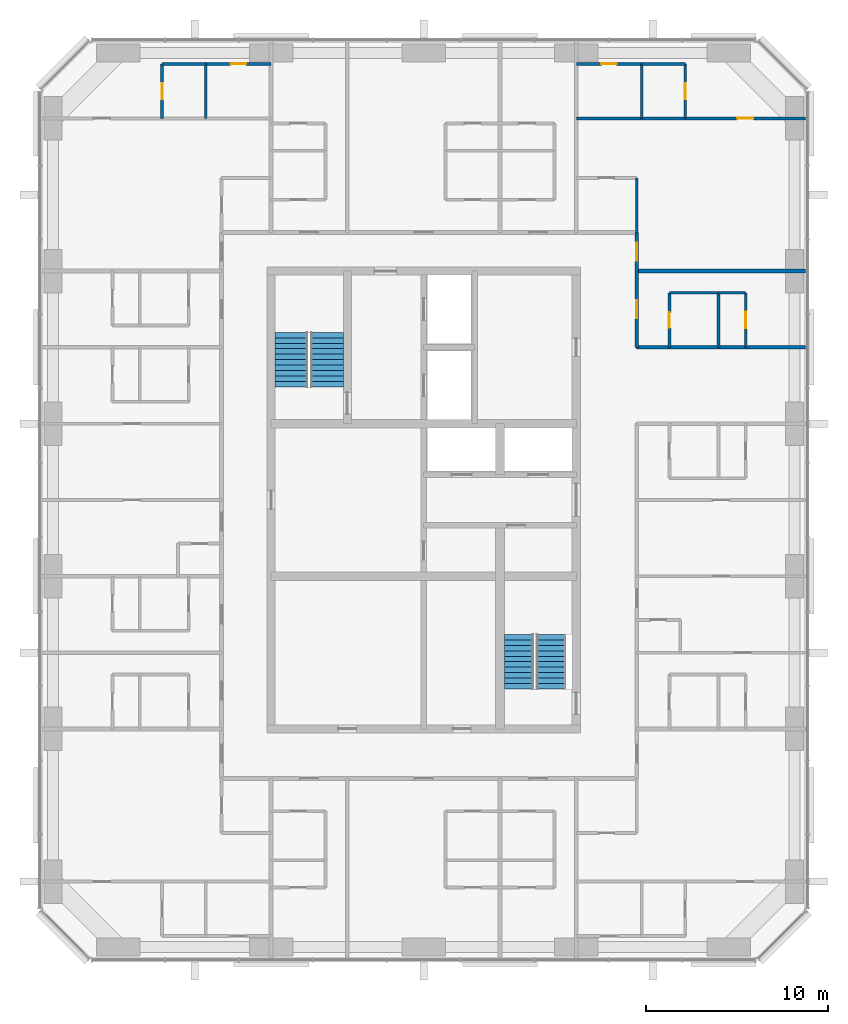
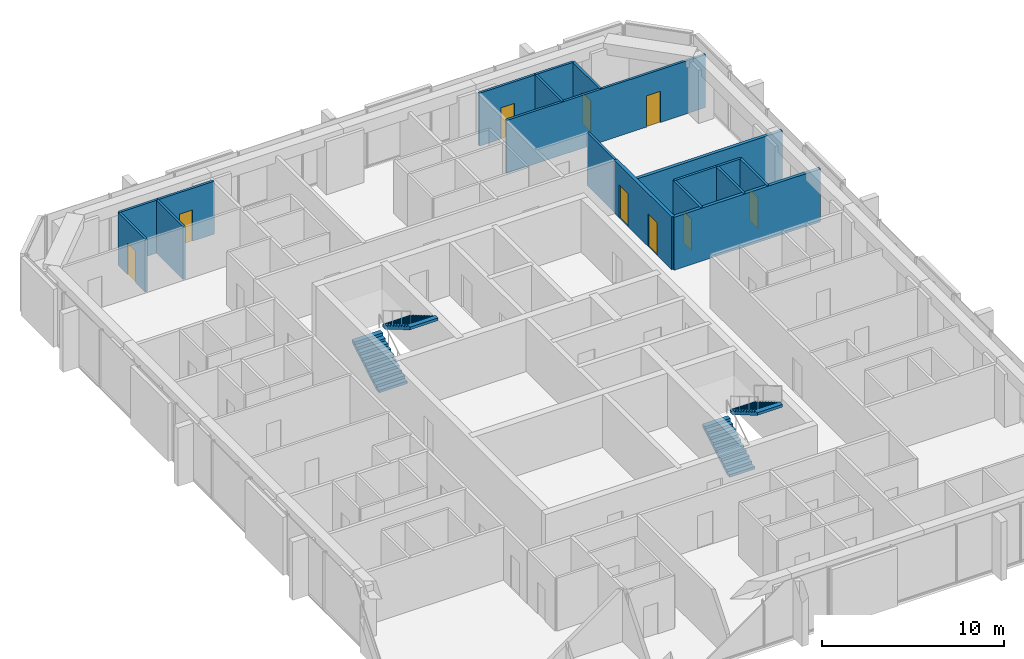
# One storey, part 11 of 12: 18 walls, 9 doors, 4 stair flights, 9 openings, 2 elements without a shape of their own.
"""IFC4 building model written with IfcOpenShell, lengths in metres."""

from ifc_helpers import new_model, si_unit, direction, frame, frame_2d, origin, place, context, subcontext, project, spatial, polyline, rectangle, outline, extrude, material, layer, layer_set, type_object, element, fill, aggregate, save


model = new_model("IFC4")

# Units and contexts
model_context = context("Model", 3, precision=1e-05, world=origin(), true_north=direction((0.0, 1.0)))
body_context = subcontext(model_context, "Body", "Model", "MODEL_VIEW")
ifc_project = project(units=[si_unit("LENGTHUNIT", "METRE"), si_unit("AREAUNIT", "SQUARE_METRE"), si_unit("VOLUMEUNIT", "CUBIC_METRE"), si_unit("PLANEANGLEUNIT", "RADIAN"), si_unit("MASSUNIT", "GRAM", prefix="KILO")], contexts=[model_context])

# Site, building, storey
site_placement = place(None, origin())
site = spatial("IfcSite", under=ifc_project, at=site_placement, CompositionType="ELEMENT")
building_placement = place(site_placement, origin())
building = spatial("IfcBuilding", under=site, at=building_placement, Name="Dunama Terrace Hotel", CompositionType="ELEMENT")
storey_placement = place(building_placement, frame((0.0, 0.0, 272.39990234375)))
storey = spatial("IfcBuildingStorey", under=building, at=storey_placement, Name="L70", CompositionType="ELEMENT", Elevation=272.39990234375)

# Wall
ifc_material_1 = material(Name="Gypsum board partition", Category="masonry")
ifc_layer_1 = layer(ifc_material_1, 0.14990234375)
ifc_layer_set_1 = layer_set([ifc_layer_1], Name="Bathroom partition 150")
wall_type_1 = type_object("IfcWallType", Name="Bathroom partition 150", PredefinedType="PARTITIONING", material=ifc_layer_set_1)
wall_1_placement = place(storey_placement, frame((45.324951171875, 44.125, 0.0), z_axis=(0.0, 0.0, 1.0), x_axis=(0.0, 1.0, 0.0)))
element("IfcWall", 1, at=wall_1_placement, inside=storey, type_object=wall_type_1, Name="Bathroom partition 150 L70", PredefinedType="PARTITIONING", context=body_context, shape_type="SweptSolid", body=[
    extrude(rectangle(XDim=3.0, YDim=0.14990234375, at=frame_2d((1.5, 0.0))), origin(), (0.0, 0.0, 1.0), 3.550048828125),
])

# Wall, opening, door
wall_2_placement = place(storey_placement, frame((47.125, 37.800048828125, 0.0), z_axis=(0.0, 0.0, 1.0), x_axis=(0.0, 1.0, 0.0)))
wall_2 = element("IfcWall", 2, at=wall_2_placement, inside=storey, type_object=wall_type_1, Name="Bathroom partition 150 L70", PredefinedType="PARTITIONING", context=body_context, shape_type="SweptSolid", body=[
    extrude(rectangle(XDim=3.0, YDim=0.14990234375, at=frame_2d((1.5, 0.0))), origin(), (0.0, 0.0, 1.0), 3.550048828125),
])
opening_1_placement = place(wall_2_placement, frame((1.074951171875, 0.0, 0.0)))
opening_1 = element("IfcOpeningElement", 3, at=opening_1_placement, cuts=wall_2, Name="Opening L68-70-026", PredefinedType="OPENING", context=body_context, shape_type="SweptSolid", body=[
    extrude(rectangle(XDim=0.85009765625, YDim=2.10009765625, at=frame_2d((0.425048828125, 1.050048828125))), frame((0.0, 0.0849609375, 0.0), z_axis=(0.0, -1.0, 0.0), x_axis=(1.0, 0.0, 0.0)), (0.0, 0.0, 1.0), 0.169921875),
])
ifc_material_2 = material(Name="Timber door with steel frame", Category="steel")
door_type_1 = type_object("IfcDoorType", Name="Bathroom door 850", OperationType="SINGLE_SWING_LEFT", PredefinedType="DOOR", material=ifc_material_2)
door_1_placement = place(opening_1_placement, frame((0.85009765625, 0.0, 0.0), z_axis=(0.0, 0.0, 1.0), x_axis=(-1.0, 0.0, 0.0)))
door_1 = element("IfcDoor", 4, at=door_1_placement, inside=storey, type_object=door_type_1, Name="Door to en-suite bathroom L68-70-026, type D2", OperationType="SINGLE_SWING_RIGHT", OverallHeight=2.10009765625, OverallWidth=0.85009765625, PredefinedType="DOOR", context=body_context, shape_type="SweptSolid", body=[
    extrude(rectangle(XDim=0.85009765625, YDim=2.10009765625, at=frame_2d((0.425048828125, 1.050048828125))), frame((0.0, 0.025146484375, 0.0), z_axis=(0.0, -1.0, 0.0), x_axis=(1.0, 0.0, 0.0)), (0.0, 0.0, 1.0), 0.050048828125),
])
fill(opening_1, door_1)

# Wall
wall_3_placement = place(storey_placement, frame((47.125, 40.800048828125, 0.0), z_axis=(0.0, 0.0, 1.0), x_axis=(1.0, 0.0, 0.0)))
element("IfcWall", 5, at=wall_3_placement, inside=storey, type_object=wall_type_1, Name="Bathroom partition 150 L70", PredefinedType="PARTITIONING", context=body_context, shape_type="SweptSolid", body=[
    extrude(rectangle(XDim=2.699951171875, YDim=0.14990234375, at=frame_2d((1.35009765625, 0.0))), origin(), (0.0, 0.0, 1.0), 3.550048828125),
])

# Wall, opening, door
wall_4_placement = place(storey_placement, frame((21.60009765625, 53.39990234375, 0.0), z_axis=(0.0, 0.0, 1.0), x_axis=(1.0, 0.0, 0.0)))
wall_4 = element("IfcWall", 6, at=wall_4_placement, inside=storey, type_object=wall_type_1, Name="Bathroom partition 150 L70", PredefinedType="PARTITIONING", context=body_context, shape_type="SweptSolid", body=[
    extrude(rectangle(XDim=3.599853515625, YDim=0.14990234375, at=frame_2d((1.7998046875, 0.0))), origin(), (0.0, 0.0, 1.0), 3.550048828125),
])
opening_2_placement = place(wall_4_placement, frame((1.375, 0.0, 0.0)))
opening_2 = element("IfcOpeningElement", 7, at=opening_2_placement, cuts=wall_4, Name="Opening L68-70-070", PredefinedType="OPENING", context=body_context, shape_type="SweptSolid", body=[
    extrude(rectangle(XDim=0.85009765625, YDim=2.10009765625, at=frame_2d((0.425048828125, 1.050048828125))), frame((0.0, 0.0849609375, 0.0), z_axis=(0.0, -1.0, 0.0), x_axis=(1.0, 0.0, 0.0)), (0.0, 0.0, 1.0), 0.169921875),
])
door_2_placement = place(opening_2_placement, frame((0.85009765625, 0.0, 0.0), z_axis=(0.0, 0.0, 1.0), x_axis=(-1.0, 0.0, 0.0)))
door_2 = element("IfcDoor", 8, at=door_2_placement, inside=storey, type_object=door_type_1, Name="Door to en-suite bathroom L68-70-070, type D2", OperationType="SINGLE_SWING_LEFT", OverallHeight=2.10009765625, OverallWidth=0.85009765625, PredefinedType="DOOR", context=body_context, shape_type="SweptSolid", body=[
    extrude(rectangle(XDim=0.85009765625, YDim=2.10009765625, at=frame_2d((0.425048828125, 1.050048828125))), frame((0.0, 0.025146484375, 0.0), z_axis=(0.0, -1.0, 0.0), x_axis=(1.0, 0.0, 0.0)), (0.0, 0.0, 1.0), 0.050048828125),
])
fill(opening_2, door_2)

wall_5_placement = place(storey_placement, frame((42.0, 53.39990234375, 0.0), z_axis=(0.0, 0.0, 1.0), x_axis=(1.0, 0.0, 0.0)))
wall_5 = element("IfcWall", 9, at=wall_5_placement, inside=storey, type_object=wall_type_1, Name="Bathroom partition 150 L70", PredefinedType="PARTITIONING", context=body_context, shape_type="SweptSolid", body=[
    extrude(rectangle(XDim=3.60009765625, YDim=0.14990234375, at=frame_2d((1.800048828125, 0.0))), origin(), (0.0, 0.0, 1.0), 3.550048828125),
])
opening_3_placement = place(wall_5_placement, frame((1.375, 0.0, 0.0)))
opening_3 = element("IfcOpeningElement", 10, at=opening_3_placement, cuts=wall_5, Name="Opening L68-70-065", PredefinedType="OPENING", context=body_context, shape_type="SweptSolid", body=[
    extrude(rectangle(XDim=0.85009765625, YDim=2.10009765625, at=frame_2d((0.425048828125, 1.050048828125))), frame((0.0, 0.0849609375, 0.0), z_axis=(0.0, -1.0, 0.0), x_axis=(1.0, 0.0, 0.0)), (0.0, 0.0, 1.0), 0.169921875),
])
door_3_placement = place(opening_3_placement, frame((0.85009765625, 0.0, 0.0), z_axis=(0.0, 0.0, 1.0), x_axis=(-1.0, 0.0, 0.0)))
door_3 = element("IfcDoor", 11, at=door_3_placement, inside=storey, type_object=door_type_1, Name="Door to en-suite bathroom L68-70-065, type D2", OperationType="SINGLE_SWING_RIGHT", OverallHeight=2.10009765625, OverallWidth=0.85009765625, PredefinedType="DOOR", context=body_context, shape_type="SweptSolid", body=[
    extrude(rectangle(XDim=0.85009765625, YDim=2.10009765625, at=frame_2d((0.425048828125, 1.050048828125))), frame((0.0, 0.025146484375, 0.0), z_axis=(0.0, -1.0, 0.0), x_axis=(1.0, 0.0, 0.0)), (0.0, 0.0, 1.0), 0.050048828125),
])
fill(opening_3, door_3)

# Wall
ifc_material_3 = material(Name="Concrete blockwork", Category="masonry")
ifc_layer_2 = layer(ifc_material_3, 0.199951171875)
ifc_layer_set_2 = layer_set([ifc_layer_2], Name="Corridor partition 200")
wall_type_2 = type_object("IfcWallType", Name="Corridor partition 200", PredefinedType="PARTITIONING", material=ifc_layer_set_2)
wall_6_placement = place(storey_placement, frame((45.324951171875, 37.800048828125, 0.0), z_axis=(0.0, 0.0, 1.0), x_axis=(1.0, 0.0, 0.0)))
element("IfcWall", 12, at=wall_6_placement, inside=storey, type_object=wall_type_2, Name="Corridor partition 200 L70", PredefinedType="PARTITIONING", context=body_context, shape_type="SweptSolid", body=[
    extrude(rectangle(XDim=9.29296875, YDim=0.199951171875, at=frame_2d((4.646484375, 0.0))), origin(), (0.0, 0.0, 1.0), 3.550048828125),
])

# Wall, openings, doors
wall_7_placement = place(storey_placement, frame((45.324951171875, 44.125, 0.0), z_axis=(0.0, 0.0, 1.0), x_axis=(0.0, -1.0, 0.0)))
wall_7 = element("IfcWall", 13, at=wall_7_placement, inside=storey, type_object=wall_type_2, Name="Corridor partition 200 L70", PredefinedType="PARTITIONING", context=body_context, shape_type="SweptSolid", body=[
    extrude(rectangle(XDim=6.324951171875, YDim=0.199951171875, at=frame_2d((3.16259765625, 0.0))), origin(), (0.0, 0.0, 1.0), 3.550048828125),
])
opening_4_placement = place(wall_7_placement, frame((3.72509765625, 0.0, 0.0)))
opening_4 = element("IfcOpeningElement", 14, at=opening_4_placement, cuts=wall_7, Name="Opening L68-70-025", PredefinedType="OPENING", context=body_context, shape_type="SweptSolid", body=[
    extrude(rectangle(XDim=1.0, YDim=2.199951171875, at=frame_2d((0.5, 1.10009765625))), frame((0.0, 0.10986328125, 0.0), z_axis=(0.0, -1.0, 0.0), x_axis=(1.0, 0.0, 0.0)), (0.0, 0.0, 1.0), 0.219970703125),
])
opening_5_placement = place(wall_7_placement, frame((0.56298828125, 0.0, 0.0)))
opening_5 = element("IfcOpeningElement", 15, at=opening_5_placement, cuts=wall_7, Name="Opening L68-70-062", PredefinedType="OPENING", context=body_context, shape_type="SweptSolid", body=[
    extrude(rectangle(XDim=1.0, YDim=2.199951171875, at=frame_2d((0.5, 1.10009765625))), frame((0.0, 0.10986328125, 0.0), z_axis=(0.0, -1.0, 0.0), x_axis=(1.0, 0.0, 0.0)), (0.0, 0.0, 1.0), 0.219970703125),
])
ifc_material_4 = material(Name="Timber door with steel frame", Category="steel")
door_type_2 = type_object("IfcDoorType", Name="Guest room door 1000", OperationType="SINGLE_SWING_LEFT", PredefinedType="DOOR", material=ifc_material_4)
door_4_placement = place(opening_4_placement, origin())
door_4 = element("IfcDoor", 16, at=door_4_placement, inside=storey, type_object=door_type_2, Name="Door to studio suite L68-70-025, type D1", OperationType="SINGLE_SWING_LEFT", OverallHeight=2.199951171875, OverallWidth=1.0, PredefinedType="DOOR", context=body_context, shape_type="SweptSolid", body=[
    extrude(rectangle(XDim=1.0, YDim=2.199951171875, at=frame_2d((0.5, 1.10009765625))), frame((0.0, 0.02490234375, 0.0), z_axis=(0.0, -1.0, 0.0), x_axis=(1.0, 0.0, 0.0)), (0.0, 0.0, 1.0), 0.050048828125),
])
fill(opening_4, door_4)
door_5_placement = place(opening_5_placement, origin())
door_5 = element("IfcDoor", 17, at=door_5_placement, inside=storey, type_object=door_type_2, Name="Door to grand corner suite living room L68-70-062, type D1", OperationType="SINGLE_SWING_RIGHT", OverallHeight=2.199951171875, OverallWidth=1.0, PredefinedType="DOOR", context=body_context, shape_type="SweptSolid", body=[
    extrude(rectangle(XDim=1.0, YDim=2.199951171875, at=frame_2d((0.5, 1.10009765625))), frame((0.0, 0.02490234375, 0.0), z_axis=(0.0, -1.0, 0.0), x_axis=(1.0, 0.0, 0.0)), (0.0, 0.0, 1.0), 0.050048828125),
])
fill(opening_5, door_5)

# Wall
ifc_material_5 = material(Name="Concrete blockwork", Category="masonry")
ifc_layer_3 = layer(ifc_material_5, 0.199951171875)
ifc_layer_set_3 = layer_set([ifc_layer_3], Name="Party wall 200")
wall_type_3 = type_object("IfcWallType", Name="Party wall 200", PredefinedType="PARTITIONING", material=ifc_layer_set_3)
wall_8_placement = place(storey_placement, frame((45.324951171875, 42.0, 0.0), z_axis=(0.0, 0.0, 1.0), x_axis=(1.0, 0.0, 0.0)))
element("IfcWall", 18, at=wall_8_placement, inside=storey, type_object=wall_type_3, Name="Party wall 200 L70", PredefinedType="PARTITIONING", context=body_context, shape_type="SweptSolid", body=[
    extrude(rectangle(XDim=9.29296875, YDim=0.199951171875, at=frame_2d((4.646484375, 0.0))), origin(), (0.0, 0.0, 1.0), 3.550048828125),
])

# Wall, opening, door
ifc_material_6 = material(Name="Gypsum board partition", Category="masonry")
ifc_layer_4 = layer(ifc_material_6, 0.14990234375)
ifc_layer_set_4 = layer_set([ifc_layer_4], Name="Room partition 150")
wall_type_4 = type_object("IfcWallType", Name="Room partition 150", PredefinedType="PARTITIONING", material=ifc_layer_set_4)
wall_9_placement = place(storey_placement, frame((19.199951171875, 50.39990234375, 0.0), z_axis=(0.0, 0.0, 1.0), x_axis=(0.0, 1.0, 0.0)))
wall_9 = element("IfcWall", 19, at=wall_9_placement, inside=storey, type_object=wall_type_4, Name="Room partition 150 L70", PredefinedType="PARTITIONING", context=body_context, shape_type="SweptSolid", body=[
    extrude(rectangle(XDim=3.0, YDim=0.14990234375, at=frame_2d((1.5, 0.0))), origin(), (0.0, 0.0, 1.0), 3.550048828125),
])
opening_6_placement = place(wall_9_placement, frame((1.050048828125, 0.0, 0.0)))
opening_6 = element("IfcOpeningElement", 20, at=opening_6_placement, cuts=wall_9, Name="Opening L68-70-071", PredefinedType="OPENING", context=body_context, shape_type="SweptSolid", body=[
    extrude(rectangle(XDim=0.89990234375, YDim=2.10009765625, at=frame_2d((0.449951171875, 1.050048828125))), frame((0.0, 0.0849609375, 0.0), z_axis=(0.0, -1.0, 0.0), x_axis=(1.0, 0.0, 0.0)), (0.0, 0.0, 1.0), 0.169921875),
])
ifc_material_7 = material(Name="Timber door with steel frame", Category="steel")
door_type_3 = type_object("IfcDoorType", Name="Suite internal door 900", OperationType="SINGLE_SWING_LEFT", PredefinedType="DOOR", material=ifc_material_7)
door_6_placement = place(opening_6_placement, frame((0.89990234375, 0.0, 0.0), z_axis=(0.0, 0.0, 1.0), x_axis=(-1.0, 0.0, 0.0)))
door_6 = element("IfcDoor", 21, at=door_6_placement, inside=storey, type_object=door_type_3, Name="Door to dressing room L68-70-071, type D16", OperationType="SINGLE_SWING_RIGHT", OverallHeight=2.10009765625, OverallWidth=0.89990234375, PredefinedType="DOOR", context=body_context, shape_type="SweptSolid", body=[
    extrude(rectangle(XDim=0.89990234375, YDim=2.10009765625, at=frame_2d((0.449951171875, 1.050048828125))), frame((0.0, 0.025146484375, 0.0), z_axis=(0.0, -1.0, 0.0), x_axis=(1.0, 0.0, 0.0)), (0.0, 0.0, 1.0), 0.050048828125),
])
fill(opening_6, door_6)

# Walls
for number, where, z_axis, x_axis, name in (
    (22, (21.60009765625, 50.39990234375, 0.0), (0.0, 0.0, 1.0), (0.0, 1.0, 0.0), "Room partition 150 L70"),
    (23, (45.60009765625, 50.39990234375, 0.0), (0.0, 0.0, 1.0), (0.0, 1.0, 0.0), "Room partition 150 L70"),
):
    element("IfcWall", number, at=place(storey_placement, frame(where, z_axis=z_axis, x_axis=x_axis)), inside=storey, type_object=wall_type_4, Name=name, PredefinedType="PARTITIONING", context=body_context, shape_type="SweptSolid", body=[
        extrude(rectangle(XDim=3.0, YDim=0.14990234375, at=frame_2d((1.5, 0.0))), origin(), (0.0, 0.0, 1.0), 3.550048828125),
    ])

# Wall, opening, door
wall_10_placement = place(storey_placement, frame((48.0, 50.39990234375, 0.0), z_axis=(0.0, 0.0, 1.0), x_axis=(0.0, 1.0, 0.0)))
wall_10 = element("IfcWall", 24, at=wall_10_placement, inside=storey, type_object=wall_type_4, Name="Room partition 150 L70", PredefinedType="PARTITIONING", context=body_context, shape_type="SweptSolid", body=[
    extrude(rectangle(XDim=3.0, YDim=0.14990234375, at=frame_2d((1.5, 0.0))), origin(), (0.0, 0.0, 1.0), 3.550048828125),
])
opening_7_placement = place(wall_10_placement, frame((1.050048828125, 0.0, 0.0)))
opening_7 = element("IfcOpeningElement", 25, at=opening_7_placement, cuts=wall_10, Name="Opening L68-70-066", PredefinedType="OPENING", context=body_context, shape_type="SweptSolid", body=[
    extrude(rectangle(XDim=0.89990234375, YDim=2.10009765625, at=frame_2d((0.449951171875, 1.050048828125))), frame((0.0, 0.0849609375, 0.0), z_axis=(0.0, -1.0, 0.0), x_axis=(1.0, 0.0, 0.0)), (0.0, 0.0, 1.0), 0.169921875),
])
door_7_placement = place(opening_7_placement, origin())
door_7 = element("IfcDoor", 26, at=door_7_placement, inside=storey, type_object=door_type_3, Name="Door to dressing room L68-70-066, type D16", OperationType="SINGLE_SWING_LEFT", OverallHeight=2.10009765625, OverallWidth=0.89990234375, PredefinedType="DOOR", context=body_context, shape_type="SweptSolid", body=[
    extrude(rectangle(XDim=0.89990234375, YDim=2.10009765625, at=frame_2d((0.449951171875, 1.050048828125))), frame((0.0, 0.02490234375, 0.0), z_axis=(0.0, -1.0, 0.0), x_axis=(1.0, 0.0, 0.0)), (0.0, 0.0, 1.0), 0.050048828125),
])
fill(opening_7, door_7)

# Wall
wall_11_placement = place(storey_placement, frame((49.824951171875, 37.800048828125, 0.0), z_axis=(0.0, 0.0, 1.0), x_axis=(0.0, 1.0, 0.0)))
element("IfcWall", 27, at=wall_11_placement, inside=storey, type_object=wall_type_4, Name="Room partition 150 L70", PredefinedType="PARTITIONING", context=body_context, shape_type="SweptSolid", body=[
    extrude(rectangle(XDim=3.0, YDim=0.14990234375, at=frame_2d((1.5, 0.0))), origin(), (0.0, 0.0, 1.0), 3.550048828125),
])

# Wall, opening, door
wall_12_placement = place(storey_placement, frame((51.324951171875, 37.800048828125, 0.0), z_axis=(0.0, 0.0, 1.0), x_axis=(0.0, 1.0, 0.0)))
wall_12 = element("IfcWall", 28, at=wall_12_placement, inside=storey, type_object=wall_type_4, Name="Room partition 150 L70", PredefinedType="PARTITIONING", context=body_context, shape_type="SweptSolid", body=[
    extrude(rectangle(XDim=3.0, YDim=0.14990234375, at=frame_2d((1.5, 0.0))), origin(), (0.0, 0.0, 1.0), 3.550048828125),
])
opening_8_placement = place(wall_12_placement, frame((1.050048828125, 0.0, 0.0)))
opening_8 = element("IfcOpeningElement", 29, at=opening_8_placement, cuts=wall_12, Name="Opening L68-70-027", PredefinedType="OPENING", context=body_context, shape_type="SweptSolid", body=[
    extrude(rectangle(XDim=0.89990234375, YDim=2.10009765625, at=frame_2d((0.449951171875, 1.050048828125))), frame((0.0, 0.0849609375, 0.0), z_axis=(0.0, -1.0, 0.0), x_axis=(1.0, 0.0, 0.0)), (0.0, 0.0, 1.0), 0.169921875),
])
door_8_placement = place(opening_8_placement, origin())
door_8 = element("IfcDoor", 30, at=door_8_placement, inside=storey, type_object=door_type_3, Name="Door to walk-in wardrobe L68-70-027, type D16", OperationType="SINGLE_SWING_LEFT", OverallHeight=2.10009765625, OverallWidth=0.89990234375, PredefinedType="DOOR", context=body_context, shape_type="SweptSolid", body=[
    extrude(rectangle(XDim=0.89990234375, YDim=2.10009765625, at=frame_2d((0.449951171875, 1.050048828125))), frame((0.0, 0.02490234375, 0.0), z_axis=(0.0, -1.0, 0.0), x_axis=(1.0, 0.0, 0.0)), (0.0, 0.0, 1.0), 0.050048828125),
])
fill(opening_8, door_8)

# Wall
wall_13_placement = place(storey_placement, frame((49.824951171875, 40.800048828125, 0.0), z_axis=(0.0, 0.0, 1.0), x_axis=(1.0, 0.0, 0.0)))
element("IfcWall", 31, at=wall_13_placement, inside=storey, type_object=wall_type_4, Name="Room partition 150 L70", PredefinedType="PARTITIONING", context=body_context, shape_type="SweptSolid", body=[
    extrude(rectangle(XDim=1.5, YDim=0.14990234375, at=frame_2d((0.75, 0.0))), origin(), (0.0, 0.0, 1.0), 3.550048828125),
])

# Wall, opening, door
wall_14_placement = place(storey_placement, frame((42.0, 50.39990234375, 0.0), z_axis=(0.0, 0.0, 1.0), x_axis=(1.0, 0.0, 0.0)))
wall_14 = element("IfcWall", 32, at=wall_14_placement, inside=storey, type_object=wall_type_4, Name="Room partition 150 L70", PredefinedType="PARTITIONING", context=body_context, shape_type="SweptSolid", body=[
    extrude(rectangle(XDim=12.617919921875, YDim=0.14990234375, at=frame_2d((6.30908203125, 0.0))), origin(), (0.0, 0.0, 1.0), 3.550048828125),
])
opening_9_placement = place(wall_14_placement, frame((8.85009765625, 0.0, 0.0)))
opening_9 = element("IfcOpeningElement", 33, at=opening_9_placement, cuts=wall_14, Name="Opening L68-70-064", PredefinedType="OPENING", context=body_context, shape_type="SweptSolid", body=[
    extrude(rectangle(XDim=0.89990234375, YDim=2.10009765625, at=frame_2d((0.449951171875, 1.050048828125))), frame((0.0, 0.0849609375, 0.0), z_axis=(0.0, -1.0, 0.0), x_axis=(1.0, 0.0, 0.0)), (0.0, 0.0, 1.0), 0.169921875),
])
door_9_placement = place(opening_9_placement, origin())
door_9 = element("IfcDoor", 34, at=door_9_placement, inside=storey, type_object=door_type_3, Name="Door to grand corner suite bedroom L68-70-064, type D16", OperationType="SINGLE_SWING_RIGHT", OverallHeight=2.10009765625, OverallWidth=0.89990234375, PredefinedType="DOOR", context=body_context, shape_type="SweptSolid", body=[
    extrude(rectangle(XDim=0.89990234375, YDim=2.10009765625, at=frame_2d((0.449951171875, 1.050048828125))), frame((0.0, 0.02490234375, 0.0), z_axis=(0.0, -1.0, 0.0), x_axis=(1.0, 0.0, 0.0)), (0.0, 0.0, 1.0), 0.050048828125),
])
fill(opening_9, door_9)

# Walls
wall_15_placement = place(storey_placement, frame((19.199951171875, 53.39990234375, 0.0), z_axis=(0.0, 0.0, 1.0), x_axis=(1.0, 0.0, 0.0)))
element("IfcWall", 35, at=wall_15_placement, inside=storey, type_object=wall_type_4, Name="Room partition 150 L70", PredefinedType="PARTITIONING", context=body_context, shape_type="SweptSolid", body=[
    extrude(rectangle(XDim=2.400146484375, YDim=0.14990234375, at=frame_2d((1.2001953125, 0.0))), origin(), (0.0, 0.0, 1.0), 3.550048828125),
])
wall_16_placement = place(storey_placement, frame((45.60009765625, 53.39990234375, 0.0), z_axis=(0.0, 0.0, 1.0), x_axis=(1.0, 0.0, 0.0)))
element("IfcWall", 36, at=wall_16_placement, inside=storey, type_object=wall_type_4, Name="Room partition 150 L70", PredefinedType="PARTITIONING", context=body_context, shape_type="SweptSolid", body=[
    extrude(rectangle(XDim=2.39990234375, YDim=0.14990234375, at=frame_2d((1.199951171875, 0.0))), origin(), (0.0, 0.0, 1.0), 3.550048828125),
])

# Stair, stair flights
ifc_material_8 = material(Name="Concrete C40/50", Category="concrete")
stair_type_1 = type_object("IfcStairType", Name="Stair ST1-3900-1800", PredefinedType="HALF_TURN_STAIR", material=ifc_material_8)
stair_1_placement = place(storey_placement, origin())
stair_1 = element("IfcStair", 37, at=stair_1_placement, inside=storey, type_object=stair_type_1, Name="Stair ST1 L70", PredefinedType="HALF_TURN_STAIR")
ifc_material_9 = material(Name="Concrete C40/50", Category="concrete")
stair_flight_type_1 = type_object("IfcStairFlightType", Name="Stair flight ST1-3900-1800", PredefinedType="STRAIGHT", material=ifc_material_9)
stair_flight_1_placement = place(storey_placement, frame((26.324951171875, 35.625, 0.0), z_axis=(0.0, 0.0, 1.0), x_axis=(0.0, 1.0, 0.0)))
stair_flight_1 = element("IfcStairFlight", 38, at=stair_flight_1_placement, type_object=stair_flight_type_1, Name="ST1 flight 1", NumberOfRisers=11, NumberOfTreads=10, PredefinedType="STRAIGHT", RiserHeight=0.177272727, TreadLength=0.3, context=body_context, shape_type="SweptSolid", body=[
    extrude(outline(polyline([(0.0, 0.0), (0.0, 0.17724609375), (0.300048828125, 0.17724609375), (0.300048828125, 0.3544921875), (0.60009765625, 0.3544921875), (0.60009765625, 0.53173828125), (0.89990234375, 0.53173828125), (0.89990234375, 0.708984375), (1.199951171875, 0.708984375), (1.199951171875, 0.886474609375), (1.5, 0.886474609375), (1.5, 1.063720703125), (1.800048828125, 1.063720703125), (1.800048828125, 1.240966796875), (2.10009765625, 1.240966796875), (2.10009765625, 1.418212890625), (2.39990234375, 1.418212890625), (2.39990234375, 1.595458984375), (2.699951171875, 1.595458984375), (2.699951171875, 1.772705078125), (3.0, 1.772705078125), (3.0, 1.949951171875), (3.0, 1.5986328125), (0.294677734375, 0.0), (0.0, 0.0)])), frame((0.0, 0.89990234375, 0.0), z_axis=(0.0, -1.0, 0.0), x_axis=(1.0, 0.0, 0.0)), (0.0, 0.0, 1.0), 1.800048828125),
])
stair_flight_2_placement = place(storey_placement, frame((28.27490234375, 38.625, 1.9501953125), z_axis=(0.0, 0.0, 1.0), x_axis=(0.0, -1.0, 0.0)))
stair_flight_2 = element("IfcStairFlight", 39, at=stair_flight_2_placement, type_object=stair_flight_type_1, Name="ST1 flight 2", NumberOfRisers=11, NumberOfTreads=10, PredefinedType="STRAIGHT", RiserHeight=0.177272727, TreadLength=0.3, context=body_context, shape_type="SweptSolid", body=[
    extrude(outline(polyline([(0.0, 0.0), (0.0, 0.17724609375), (0.300048828125, 0.17724609375), (0.300048828125, 0.3544921875), (0.60009765625, 0.3544921875), (0.60009765625, 0.53173828125), (0.89990234375, 0.53173828125), (0.89990234375, 0.708984375), (1.199951171875, 0.708984375), (1.199951171875, 0.886474609375), (1.5, 0.886474609375), (1.5, 1.063720703125), (1.800048828125, 1.063720703125), (1.800048828125, 1.240966796875), (2.10009765625, 1.240966796875), (2.10009765625, 1.418212890625), (2.39990234375, 1.418212890625), (2.39990234375, 1.595458984375), (2.699951171875, 1.595458984375), (2.699951171875, 1.772705078125), (3.0, 1.772705078125), (3.0, 1.949951171875), (3.0, 1.5986328125), (0.294677734375, 0.0), (0.0, 0.0)])), frame((0.0, 0.89990234375, 0.0), z_axis=(0.0, -1.0, 0.0), x_axis=(1.0, 0.0, 0.0)), (0.0, 0.0, 1.0), 1.800048828125),
])
aggregate(stair_1, [stair_flight_1, stair_flight_2])

ifc_material_10 = material(Name="Concrete C40/50", Category="concrete")
stair_type_2 = type_object("IfcStairType", Name="Stair ST2-3900-1600", PredefinedType="HALF_TURN_STAIR", material=ifc_material_10)
stair_2_placement = place(storey_placement, origin())
stair_2 = element("IfcStair", 40, at=stair_2_placement, inside=storey, type_object=stair_type_2, Name="Stair ST2 L70", PredefinedType="HALF_TURN_STAIR")
ifc_material_11 = material(Name="Concrete C40/50", Category="concrete")
stair_flight_type_2 = type_object("IfcStairFlightType", Name="Stair flight ST2-3900-1600", PredefinedType="STRAIGHT", material=ifc_material_11)
stair_flight_3_placement = place(storey_placement, frame((38.85009765625, 19.0, 0.0), z_axis=(0.0, 0.0, 1.0), x_axis=(0.0, 1.0, 0.0)))
stair_flight_3 = element("IfcStairFlight", 41, at=stair_flight_3_placement, type_object=stair_flight_type_2, Name="ST2 flight 1", NumberOfRisers=11, NumberOfTreads=10, PredefinedType="STRAIGHT", RiserHeight=0.177272727, TreadLength=0.3, context=body_context, shape_type="SweptSolid", body=[
    extrude(outline(polyline([(0.0, 0.0), (0.0, 0.17724609375), (0.300048828125, 0.17724609375), (0.300048828125, 0.3544921875), (0.60009765625, 0.3544921875), (0.60009765625, 0.53173828125), (0.89990234375, 0.53173828125), (0.89990234375, 0.708984375), (1.199951171875, 0.708984375), (1.199951171875, 0.886474609375), (1.5, 0.886474609375), (1.5, 1.063720703125), (1.800048828125, 1.063720703125), (1.800048828125, 1.240966796875), (2.10009765625, 1.240966796875), (2.10009765625, 1.418212890625), (2.39990234375, 1.418212890625), (2.39990234375, 1.595458984375), (2.699951171875, 1.595458984375), (2.699951171875, 1.772705078125), (3.0, 1.772705078125), (3.0, 1.949951171875), (3.0, 1.5986328125), (0.294677734375, 0.0), (0.0, 0.0)])), frame((0.0, 0.800048828125, 0.0), z_axis=(0.0, -1.0, 0.0), x_axis=(1.0, 0.0, 0.0)), (0.0, 0.0, 1.0), 1.60009765625),
])
stair_flight_4_placement = place(storey_placement, frame((40.60009765625, 22.0, 1.9501953125), z_axis=(0.0, 0.0, 1.0), x_axis=(0.0, -1.0, 0.0)))
stair_flight_4 = element("IfcStairFlight", 42, at=stair_flight_4_placement, type_object=stair_flight_type_2, Name="ST2 flight 2", NumberOfRisers=11, NumberOfTreads=10, PredefinedType="STRAIGHT", RiserHeight=0.177272727, TreadLength=0.3, context=body_context, shape_type="SweptSolid", body=[
    extrude(outline(polyline([(0.0, 0.0), (0.0, 0.17724609375), (0.300048828125, 0.17724609375), (0.300048828125, 0.3544921875), (0.60009765625, 0.3544921875), (0.60009765625, 0.53173828125), (0.89990234375, 0.53173828125), (0.89990234375, 0.708984375), (1.199951171875, 0.708984375), (1.199951171875, 0.886474609375), (1.5, 0.886474609375), (1.5, 1.063720703125), (1.800048828125, 1.063720703125), (1.800048828125, 1.240966796875), (2.10009765625, 1.240966796875), (2.10009765625, 1.418212890625), (2.39990234375, 1.418212890625), (2.39990234375, 1.595458984375), (2.699951171875, 1.595458984375), (2.699951171875, 1.772705078125), (3.0, 1.772705078125), (3.0, 1.949951171875), (3.0, 1.5986328125), (0.294677734375, 0.0), (0.0, 0.0)])), frame((0.0, 0.800048828125, 0.0), z_axis=(0.0, -1.0, 0.0), x_axis=(1.0, 0.0, 0.0)), (0.0, 0.0, 1.0), 1.60009765625),
])
aggregate(stair_2, [stair_flight_3, stair_flight_4])

save(model, "model.ifc")
